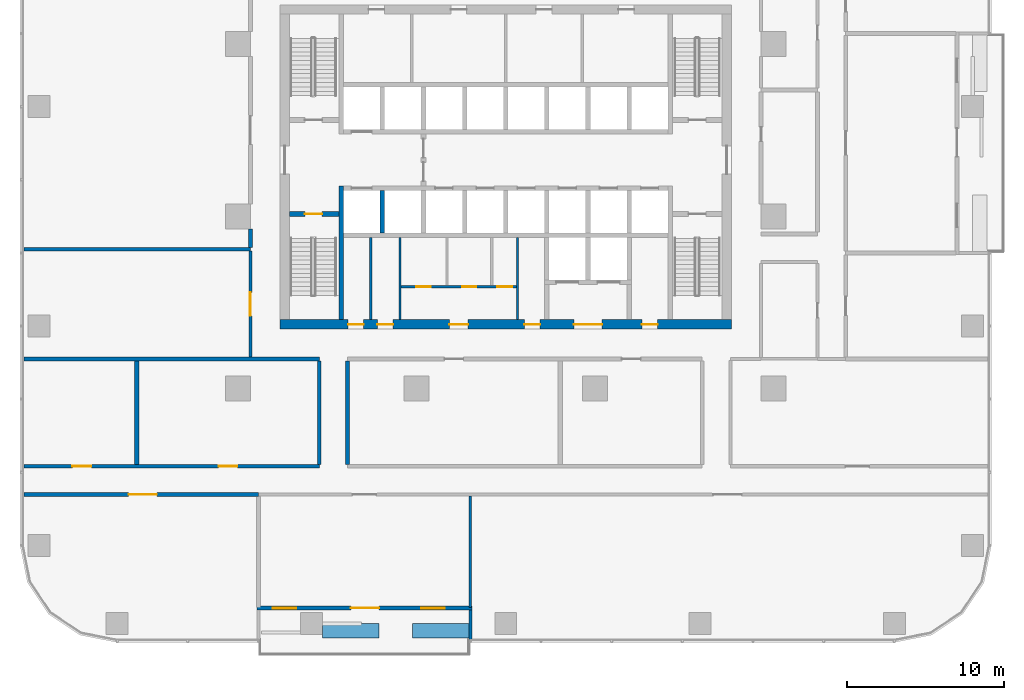
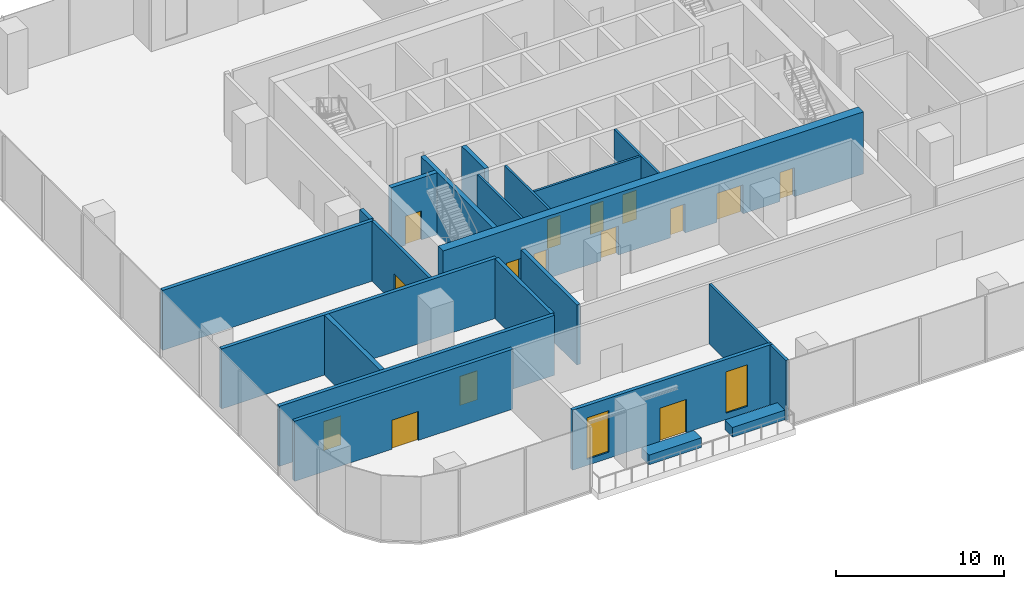
# One storey, part 7 of 15: 22 walls, 15 doors, 2 windows, 17 openings.
"""IFC4 building model written with IfcOpenShell, lengths in metres."""

import ifcopenshell
import ifcopenshell.guid

model = None  # the IFC model being written
_history = None  # IfcOwnerHistory: only IFC2X3 demands one
_inside = {}  # id of a spatial element -> (the spatial element, [elements in it])
_under = {}  # id of a project, library or spatial element -> (it, [spatial elements below it])
_declared = {}  # id of a project -> (the project, [libraries it declares])
_typed = {}  # id of a type object -> (the type object, [elements of that type])
_made_of = {}  # id of a material, layer set ... -> (it, [elements and type objects made of it])


def new_model(schema):
    """Start an empty IFC model of exactly this schema.

    Asked for "IFC4X3", IfcOpenShell would pick the latest addendum, in which some entities
    have other attributes; the version numbers below select the first issue.
    IFC2X3 requires an IfcOwnerHistory on every rooted entity: one is made here for all.
    """
    global model, _history
    if schema == "IFC4X3":
        model = ifcopenshell.file(schema_version=(4, 3, 0, 0))
    else:
        model = ifcopenshell.file(schema=schema)
    _inside.clear()
    _under.clear()
    _declared.clear()
    _typed.clear()
    _made_of.clear()
    _history = None
    if model.schema == "IFC2X3":
        org = make("IfcOrganization", Name="unknown")
        user = make(
            "IfcPersonAndOrganization",
            ThePerson=make("IfcPerson", FamilyName="unknown"),
            TheOrganization=org,
        )
        app = make(
            "IfcApplication",
            ApplicationDeveloper=org,
            Version="unknown",
            ApplicationFullName="unknown",
            ApplicationIdentifier="unknown",
        )
        _history = make(
            "IfcOwnerHistory",
            OwningUser=user,
            OwningApplication=app,
            ChangeAction="ADDED",
            CreationDate=0,
        )
    return model


def make(cls, **values):
    """One entity of the class cls with the attributes given. An attribute that is None is left unset."""
    return model.create_entity(
        cls, **{name: value for name, value in values.items() if value is not None}
    )


def rooted(cls, **values):
    """An entity with a GlobalId (a new one), such as an element, a storey or a relation."""
    return make(cls, GlobalId=ifcopenshell.guid.new(), OwnerHistory=_history, **values)


def si_unit(unit_type, name, prefix=None):
    """IfcSIUnit, for example si_unit("LENGTHUNIT", "METRE", prefix="MILLI")."""
    return make("IfcSIUnit", UnitType=unit_type, Prefix=prefix, Name=name)


def assignment(units):
    """IfcUnitAssignment: the units of a project."""
    return None if units is None else make("IfcUnitAssignment", Units=units)


def point(xyz):
    """IfcCartesianPoint."""
    return None if xyz is None else make("IfcCartesianPoint", Coordinates=xyz)


def direction(xyz):
    """IfcDirection."""
    return None if xyz is None else make("IfcDirection", DirectionRatios=xyz)


def frame(location, z_axis=None, x_axis=None):
    """IfcAxis2Placement3D, a coordinate frame: its origin and axes. An axis left out is left unset."""
    return make(
        "IfcAxis2Placement3D",
        Location=point(location),
        Axis=direction(z_axis),
        RefDirection=direction(x_axis),
    )


def frame_2d(location, x_axis=None):
    """IfcAxis2Placement2D, a coordinate frame in the plane: its origin and x axis."""
    return make(
        "IfcAxis2Placement2D", Location=point(location), RefDirection=direction(x_axis)
    )


def origin():
    """The frame at (0, 0, 0) with its axes left unset."""
    return frame((0.0, 0.0, 0.0))


def place(relative_to, where):
    """IfcLocalPlacement: puts the frame where relative to a parent placement (None: the world)."""
    return make(
        "IfcLocalPlacement", PlacementRelTo=relative_to, RelativePlacement=where
    )


def context(
    kind, dimensions, precision=None, world=None, true_north=None, identifier=None
):
    """IfcGeometricRepresentationContext, for example the 3D "Model" context."""
    return make(
        "IfcGeometricRepresentationContext",
        ContextIdentifier=identifier,
        ContextType=kind,
        CoordinateSpaceDimension=dimensions,
        Precision=precision,
        WorldCoordinateSystem=world,
        TrueNorth=true_north,
    )


def subcontext(parent, identifier, kind, view, scale=None):
    """IfcGeometricRepresentationSubContext, for example "Body" below "Model"."""
    return make(
        "IfcGeometricRepresentationSubContext",
        ContextIdentifier=identifier,
        ContextType=kind,
        ParentContext=parent,
        TargetScale=scale,
        TargetView=view,
    )


def project(units=None, contexts=None):
    """IfcProject with its units and contexts."""
    return rooted(
        "IfcProject",
        Name="project",
        RepresentationContexts=contexts,
        UnitsInContext=assignment(units),
    )


def spatial(cls, under=None, at=None, **own):
    """A site, building, storey or space (cls), placed at a placement, below another one or the project."""
    s = rooted(cls, ObjectPlacement=at, **own)
    if under is not None:
        _under.setdefault(under.id(), (under, []))[1].append(s)
    return s


def profile(cls, at=None, kind="AREA", **sizes):
    """A parametric profile (cls). Its sizes go by their IFC names, for example OverallWidth=200.0."""
    return make(cls, ProfileType=kind, Position=at, **sizes)


def rectangle(**sizes):
    """IfcRectangleProfileDef."""
    return profile("IfcRectangleProfileDef", **sizes)


def extrude(swept, where, along, depth):
    """IfcExtrudedAreaSolid: the profile swept, set in the frame where, extruded along a direction by depth."""
    return make(
        "IfcExtrudedAreaSolid",
        SweptArea=swept,
        Position=where,
        ExtrudedDirection=direction(along),
        Depth=depth,
    )


def shape(context_of_items, identifier, shape_type, items):
    """IfcShapeRepresentation: the items that make up one representation, for example the "Body"."""
    return make(
        "IfcShapeRepresentation",
        ContextOfItems=context_of_items,
        RepresentationIdentifier=identifier,
        RepresentationType=shape_type,
        Items=items,
    )


def material(Name=None, Category=None):
    """IfcMaterial."""
    return make("IfcMaterial", Name=Name, Category=Category)


def layer(
    of_material, thickness, ventilated=None, Name=None, Category=None, Priority=None
):
    """IfcMaterialLayer: one layer of a wall or slab, of a material (None: an air gap)."""
    return make(
        "IfcMaterialLayer",
        Material=of_material,
        LayerThickness=thickness,
        IsVentilated=ventilated,
        Name=Name,
        Category=Category,
        Priority=Priority,
    )


def layer_set(layers, Name=None):
    """IfcMaterialLayerSet."""
    return make("IfcMaterialLayerSet", MaterialLayers=layers, LayerSetName=Name)


def made_of(thing, what):
    """Note that an element or type object is made of a material, layer set ...; save() writes the relation."""
    if what is not None:
        _made_of.setdefault(what.id(), (what, []))[1].append(thing)
    return thing


def type_object(cls, material=None, **own):
    """A type object (cls), such as IfcWallType, which elements share."""
    return made_of(rooted(cls, **own), material)


def element(
    cls,
    number,
    at=None,
    inside=None,
    cuts=None,
    type_object=None,
    material=None,
    context=None,
    identifier="Body",
    shape_type=None,
    held_by="IfcProductDefinitionShape",
    body=None,
    shapes=None,
    **own,
):
    """One element of the class cls, such as IfcWall. Its Tag is "e" and its number.

    at: its placement. inside: the storey or other place that contains it. cuts: it is an
    opening in that element (IfcRelVoidsElement). A single representation is given by context,
    identifier, shape_type and body (its items); several are given by shapes. held_by: the class
    of the entity that holds the representations. save() writes the other relations.
    """
    e = rooted(cls, Tag="e%d" % number, ObjectPlacement=at, **own)
    if body is not None:
        shapes = [shape(context, identifier, shape_type, body)]
    if shapes is not None:
        e.Representation = make(held_by, Representations=shapes)
    if inside is not None:
        _inside.setdefault(inside.id(), (inside, []))[1].append(e)
    if cuts is not None:
        rooted(
            "IfcRelVoidsElement", RelatingBuildingElement=cuts, RelatedOpeningElement=e
        )
    if type_object is not None:
        _typed.setdefault(type_object.id(), (type_object, []))[1].append(e)
    return made_of(e, material)


def fill(opening, filler):
    """IfcRelFillsElement: the door or window that sits in an opening."""
    return rooted(
        "IfcRelFillsElement",
        RelatingOpeningElement=opening,
        RelatedBuildingElement=filler,
    )


def aggregate(whole, parts):
    """IfcRelAggregates: a whole, such as a stair, and the parts it consists of."""
    return rooted("IfcRelAggregates", RelatingObject=whole, RelatedObjects=parts)


def save(model, path):
    """Write the relations noted so far, then the file.

    IfcRelAggregates (storeys below a building ...), IfcRelContainedInSpatialStructure (elements
    in a storey), IfcRelDefinesByType, IfcRelAssociatesMaterial and IfcRelDeclares: one each for
    every whole, place, type object, material and project.
    """
    for whole, parts in _under.values():
        aggregate(whole, parts)
    for where, things in _inside.values():
        rooted(
            "IfcRelContainedInSpatialStructure",
            RelatedElements=things,
            RelatingStructure=where,
        )
    for kind, things in _typed.values():
        rooted("IfcRelDefinesByType", RelatedObjects=things, RelatingType=kind)
    for what, things in _made_of.values():
        rooted("IfcRelAssociatesMaterial", RelatedObjects=things, RelatingMaterial=what)
    for by, libraries in _declared.values():
        rooted("IfcRelDeclares", RelatingContext=by, RelatedDefinitions=libraries)
    model.write(path)


model = new_model("IFC4")

# Units and contexts
model_context = context("Model", 3, precision=1e-05, world=origin(), true_north=direction((0.0, 1.0)))
body_context = subcontext(model_context, "Body", "Model", "MODEL_VIEW")
ifc_project = project(units=[si_unit("LENGTHUNIT", "METRE"), si_unit("AREAUNIT", "SQUARE_METRE"), si_unit("VOLUMEUNIT", "CUBIC_METRE"), si_unit("PLANEANGLEUNIT", "RADIAN"), si_unit("MASSUNIT", "GRAM", prefix="KILO")], contexts=[model_context])

# Site, building, storey
site_placement = place(None, origin())
site = spatial("IfcSite", under=ifc_project, at=site_placement, CompositionType="ELEMENT")
building_placement = place(site_placement, origin())
building = spatial("IfcBuilding", under=site, at=building_placement, Name="Mopane Tessera Tower", CompositionType="ELEMENT")
storey_placement = place(building_placement, frame((0.0, 0.0, 69.39990234375)))
storey = spatial("IfcBuildingStorey", under=building, at=storey_placement, Name="L13", CompositionType="ELEMENT", Elevation=69.39990234375)

# Walls
ifc_material_1 = material(Name="Fire-rated gypsum board partition")
ifc_layer_1 = layer(ifc_material_1, 0.14990234375)
ifc_layer_set_1 = layer_set([ifc_layer_1], Name="Fire-rated gypsum board partition")
wall_type_1 = type_object("IfcWallType", Name="Core room partition 150 mm", PredefinedType="PARTITIONING", material=ifc_layer_set_1)
for number, where, z_axis, x_axis, name in (
    (1, (-8.625, -6.60009765625, 0.0), (0.0, 0.0, 1.0), (0.0, 1.0, 0.0), "L13 Room partition"),
    (2, (-6.75, -6.60009765625, 0.0), (0.0, 0.0, 1.0), (0.0, 1.0, 0.0), "L13 Room partition"),
):
    element("IfcWall", number, at=place(storey_placement, frame(where, z_axis=z_axis, x_axis=x_axis)), inside=storey, type_object=wall_type_1, Name=name, PredefinedType="PARTITIONING", context=body_context, shape_type="SweptSolid", body=[
        extrude(rectangle(XDim=5.25, YDim=0.14990234375, at=frame_2d((2.625, 0.0))), origin(), (0.0, 0.0, 1.0), 4.5),
    ])

# Wall, openings, doors
wall_1_placement = place(storey_placement, frame((-6.675048828125, -4.5, 0.0), z_axis=(0.0, 0.0, 1.0), x_axis=(1.0, 0.0, 0.0)))
wall_1 = element("IfcWall", 3, at=wall_1_placement, inside=storey, type_object=wall_type_1, Name="L13 WC partition", PredefinedType="PARTITIONING", context=body_context, shape_type="SweptSolid", body=[
    extrude(rectangle(XDim=7.35009765625, YDim=0.14990234375, at=frame_2d((3.675048828125, 0.0))), origin(), (0.0, 0.0, 1.0), 4.5),
])
opening_1_placement = place(wall_1_placement, frame((0.97509765625, 0.0, 0.0)))
opening_1 = element("IfcOpeningElement", 4, at=opening_1_placement, cuts=wall_1, Name="Opening WD1", PredefinedType="OPENING", context=body_context, shape_type="SweptSolid", body=[
    extrude(rectangle(XDim=0.89990234375, YDim=2.10009765625, at=frame_2d((0.449951171875, 1.050048828125))), frame((0.0, 0.0869140625, 0.0), z_axis=(0.0, -1.0, 0.0), x_axis=(1.0, 0.0, 0.0)), (0.0, 0.0, 1.0), 0.173828125),
])
opening_2_placement = place(wall_1_placement, frame((3.89990234375, 0.0, 0.0)))
opening_2 = element("IfcOpeningElement", 5, at=opening_2_placement, cuts=wall_1, Name="Opening WD1", PredefinedType="OPENING", context=body_context, shape_type="SweptSolid", body=[
    extrude(rectangle(XDim=0.89990234375, YDim=2.10009765625, at=frame_2d((0.449951171875, 1.050048828125))), frame((0.0, 0.0869140625, 0.0), z_axis=(0.0, -1.0, 0.0), x_axis=(1.0, 0.0, 0.0)), (0.0, 0.0, 1.0), 0.173828125),
])
opening_3_placement = place(wall_1_placement, frame((6.125, 0.0, 0.0)))
opening_3 = element("IfcOpeningElement", 6, at=opening_3_placement, cuts=wall_1, Name="Opening WD2", PredefinedType="OPENING", context=body_context, shape_type="SweptSolid", body=[
    extrude(rectangle(XDim=0.949951171875, YDim=2.10009765625, at=frame_2d((0.47509765625, 1.050048828125))), frame((0.0, 0.0869140625, 0.0), z_axis=(0.0, -1.0, 0.0), x_axis=(1.0, 0.0, 0.0)), (0.0, 0.0, 1.0), 0.173828125),
])
ifc_material_2 = material(Name="Timber door", Category="wood")
door_type_1 = type_object("IfcDoorType", Name="Accessible WC door 950 x 2100", OperationType="SINGLE_SWING_LEFT", PredefinedType="DOOR", material=ifc_material_2)
door_1_placement = place(opening_3_placement, origin())
door_1 = element("IfcDoor", 7, at=door_1_placement, inside=storey, type_object=door_type_1, Name="L13 Accessible WC door", OperationType="SINGLE_SWING_LEFT", OverallHeight=2.10009765625, OverallWidth=0.949951171875, PredefinedType="DOOR", context=body_context, shape_type="SweptSolid", body=[
    extrude(rectangle(XDim=0.949951171875, YDim=2.10009765625, at=frame_2d((0.47509765625, 1.050048828125))), frame((0.0, 0.02490234375, 0.0), z_axis=(0.0, -1.0, 0.0), x_axis=(1.0, 0.0, 0.0)), (0.0, 0.0, 1.0), 0.050048828125),
])
fill(opening_3, door_1)
ifc_material_3 = material(Name="Timber door", Category="wood")
door_type_2 = type_object("IfcDoorType", Name="WC cubicle door 900 x 2100", OperationType="SINGLE_SWING_LEFT", PredefinedType="DOOR", material=ifc_material_3)
door_2_placement = place(opening_1_placement, origin())
door_2 = element("IfcDoor", 8, at=door_2_placement, inside=storey, type_object=door_type_2, Name="L13 Men's WC door", OperationType="SINGLE_SWING_LEFT", OverallHeight=2.10009765625, OverallWidth=0.89990234375, PredefinedType="DOOR", context=body_context, shape_type="SweptSolid", body=[
    extrude(rectangle(XDim=0.89990234375, YDim=2.10009765625, at=frame_2d((0.449951171875, 1.050048828125))), frame((0.0, 0.02490234375, 0.0), z_axis=(0.0, -1.0, 0.0), x_axis=(1.0, 0.0, 0.0)), (0.0, 0.0, 1.0), 0.050048828125),
])
fill(opening_1, door_2)
door_3_placement = place(opening_2_placement, origin())
door_3 = element("IfcDoor", 9, at=door_3_placement, inside=storey, type_object=door_type_2, Name="L13 Women's WC door", OperationType="SINGLE_SWING_LEFT", OverallHeight=2.10009765625, OverallWidth=0.89990234375, PredefinedType="DOOR", context=body_context, shape_type="SweptSolid", body=[
    extrude(rectangle(XDim=0.89990234375, YDim=2.10009765625, at=frame_2d((0.449951171875, 1.050048828125))), frame((0.0, 0.02490234375, 0.0), z_axis=(0.0, -1.0, 0.0), x_axis=(1.0, 0.0, 0.0)), (0.0, 0.0, 1.0), 0.050048828125),
])
fill(opening_2, door_3)

# Wall
wall_2_placement = place(storey_placement, frame((0.75, -6.60009765625, 0.0), z_axis=(0.0, 0.0, 1.0), x_axis=(0.0, 1.0, 0.0)))
element("IfcWall", 10, at=wall_2_placement, inside=storey, type_object=wall_type_1, Name="L13 Room partition", PredefinedType="PARTITIONING", context=body_context, shape_type="SweptSolid", body=[
    extrude(rectangle(XDim=5.25, YDim=0.14990234375, at=frame_2d((2.625, 0.0))), origin(), (0.0, 0.0, 1.0), 4.5),
])

# Wall, openings, doors
ifc_material_4 = material(Name="Concrete C70/85", Category="concrete")
ifc_layer_2 = layer(ifc_material_4, 0.60009765625)
ifc_layer_set_2 = layer_set([ifc_layer_2], Name="Concrete C70/85")
wall_type_2 = type_object("IfcWallType", Name="Core shear wall 600 mm", PredefinedType="SHEAR", material=ifc_layer_set_2)
wall_3_placement = place(storey_placement, frame((-14.39990234375, -6.89990234375, 0.0), z_axis=(0.0, 0.0, 1.0), x_axis=(1.0, 0.0, 0.0)))
wall_3 = element("IfcWall", 11, at=wall_3_placement, inside=storey, type_object=wall_type_2, Name="L13 Core wall south", PredefinedType="SHEAR", context=body_context, shape_type="SweptSolid", body=[
    extrude(rectangle(XDim=28.7998046875, YDim=0.60009765625, at=frame_2d((14.39990234375, 0.0))), origin(), (0.0, 0.0, 1.0), 4.5),
])
opening_4_placement = place(wall_3_placement, frame((4.33740234375, 0.0, 0.0)))
opening_4 = element("IfcOpeningElement", 12, at=opening_4_placement, cuts=wall_3, Name="Opening RD1", PredefinedType="OPENING", context=body_context, shape_type="SweptSolid", body=[
    extrude(rectangle(XDim=1.0, YDim=2.10009765625, at=frame_2d((0.5, 1.050048828125))), frame((0.0, 0.31201171875, 0.0), z_axis=(0.0, -1.0, 0.0), x_axis=(1.0, 0.0, 0.0)), (0.0, 0.0, 1.0), 0.6240234375),
])
opening_5_placement = place(wall_3_placement, frame((6.21240234375, 0.0, 0.0)))
opening_5 = element("IfcOpeningElement", 13, at=opening_5_placement, cuts=wall_3, Name="Opening RD1", PredefinedType="OPENING", context=body_context, shape_type="SweptSolid", body=[
    extrude(rectangle(XDim=1.0, YDim=2.10009765625, at=frame_2d((0.5, 1.050048828125))), frame((0.0, 0.31201171875, 0.0), z_axis=(0.0, -1.0, 0.0), x_axis=(1.0, 0.0, 0.0)), (0.0, 0.0, 1.0), 0.6240234375),
])
opening_6_placement = place(wall_3_placement, frame((10.800048828125, 0.0, 0.0)))
opening_6 = element("IfcOpeningElement", 14, at=opening_6_placement, cuts=wall_3, Name="Opening WD3", PredefinedType="OPENING", context=body_context, shape_type="SweptSolid", body=[
    extrude(rectangle(XDim=1.199951171875, YDim=2.10009765625, at=frame_2d((0.60009765625, 1.050048828125))), frame((0.0, 0.31201171875, 0.0), z_axis=(0.0, -1.0, 0.0), x_axis=(1.0, 0.0, 0.0)), (0.0, 0.0, 1.0), 0.6240234375),
])
opening_7_placement = place(wall_3_placement, frame((15.58740234375, 0.0, 0.0)))
opening_7 = element("IfcOpeningElement", 15, at=opening_7_placement, cuts=wall_3, Name="Opening RD1", PredefinedType="OPENING", context=body_context, shape_type="SweptSolid", body=[
    extrude(rectangle(XDim=1.0, YDim=2.10009765625, at=frame_2d((0.5, 1.050048828125))), frame((0.0, 0.31201171875, 0.0), z_axis=(0.0, -1.0, 0.0), x_axis=(1.0, 0.0, 0.0)), (0.0, 0.0, 1.0), 0.6240234375),
])
opening_8_placement = place(wall_3_placement, frame((18.75, 0.0, 0.0)))
opening_8 = element("IfcOpeningElement", 16, at=opening_8_placement, cuts=wall_3, Name="Opening SD2", PredefinedType="OPENING", context=body_context, shape_type="SweptSolid", body=[
    extrude(rectangle(XDim=1.800048828125, YDim=2.10009765625, at=frame_2d((0.89990234375, 1.050048828125))), frame((0.0, 0.31201171875, 0.0), z_axis=(0.0, -1.0, 0.0), x_axis=(1.0, 0.0, 0.0)), (0.0, 0.0, 1.0), 0.6240234375),
])
opening_9_placement = place(wall_3_placement, frame((23.08740234375, 0.0, 0.0)))
opening_9 = element("IfcOpeningElement", 17, at=opening_9_placement, cuts=wall_3, Name="Opening RD1", PredefinedType="OPENING", context=body_context, shape_type="SweptSolid", body=[
    extrude(rectangle(XDim=1.0, YDim=2.10009765625, at=frame_2d((0.5, 1.050048828125))), frame((0.0, 0.31201171875, 0.0), z_axis=(0.0, -1.0, 0.0), x_axis=(1.0, 0.0, 0.0)), (0.0, 0.0, 1.0), 0.6240234375),
])
ifc_material_5 = material(Name="Steel fire door", Category="steel")
door_type_3 = type_object("IfcDoorType", Name="Core entrance double door 1800 x 2100", OperationType="DOUBLE_DOOR_SINGLE_SWING", PredefinedType="DOOR", material=ifc_material_5)
door_4_placement = place(opening_8_placement, origin())
door_4 = element("IfcDoor", 18, at=door_4_placement, inside=storey, type_object=door_type_3, Name="L13 Service lobby door", OperationType="DOUBLE_DOOR_SINGLE_SWING", OverallHeight=2.10009765625, OverallWidth=1.800048828125, PredefinedType="DOOR", context=body_context, shape_type="SweptSolid", body=[
    extrude(rectangle(XDim=1.800048828125, YDim=2.10009765625, at=frame_2d((0.89990234375, 1.050048828125))), frame((0.0, 0.02490234375, 0.0), z_axis=(0.0, -1.0, 0.0), x_axis=(1.0, 0.0, 0.0)), (0.0, 0.0, 1.0), 0.050048828125),
])
fill(opening_8, door_4)
ifc_material_6 = material(Name="Timber door", Category="wood")
door_type_4 = type_object("IfcDoorType", Name="Core room door 1000 x 2100", OperationType="SINGLE_SWING_LEFT", PredefinedType="DOOR", material=ifc_material_6)
door_5_placement = place(opening_4_placement, origin())
door_5 = element("IfcDoor", 19, at=door_5_placement, inside=storey, type_object=door_type_4, Name="L13 Room door", OperationType="SINGLE_SWING_LEFT", OverallHeight=2.10009765625, OverallWidth=1.0, PredefinedType="DOOR", context=body_context, shape_type="SweptSolid", body=[
    extrude(rectangle(XDim=1.0, YDim=2.10009765625, at=frame_2d((0.5, 1.050048828125))), frame((0.0, 0.02490234375, 0.0), z_axis=(0.0, -1.0, 0.0), x_axis=(1.0, 0.0, 0.0)), (0.0, 0.0, 1.0), 0.050048828125),
])
fill(opening_4, door_5)
door_6_placement = place(opening_5_placement, origin())
door_6 = element("IfcDoor", 20, at=door_6_placement, inside=storey, type_object=door_type_4, Name="L13 Room door", OperationType="SINGLE_SWING_LEFT", OverallHeight=2.10009765625, OverallWidth=1.0, PredefinedType="DOOR", context=body_context, shape_type="SweptSolid", body=[
    extrude(rectangle(XDim=1.0, YDim=2.10009765625, at=frame_2d((0.5, 1.050048828125))), frame((0.0, 0.02490234375, 0.0), z_axis=(0.0, -1.0, 0.0), x_axis=(1.0, 0.0, 0.0)), (0.0, 0.0, 1.0), 0.050048828125),
])
fill(opening_5, door_6)
door_7_placement = place(opening_7_placement, origin())
door_7 = element("IfcDoor", 21, at=door_7_placement, inside=storey, type_object=door_type_4, Name="L13 Room door", OperationType="SINGLE_SWING_LEFT", OverallHeight=2.10009765625, OverallWidth=1.0, PredefinedType="DOOR", context=body_context, shape_type="SweptSolid", body=[
    extrude(rectangle(XDim=1.0, YDim=2.10009765625, at=frame_2d((0.5, 1.050048828125))), frame((0.0, 0.02490234375, 0.0), z_axis=(0.0, -1.0, 0.0), x_axis=(1.0, 0.0, 0.0)), (0.0, 0.0, 1.0), 0.050048828125),
])
fill(opening_7, door_7)
door_8_placement = place(opening_9_placement, origin())
door_8 = element("IfcDoor", 22, at=door_8_placement, inside=storey, type_object=door_type_4, Name="L13 Room door", OperationType="SINGLE_SWING_LEFT", OverallHeight=2.10009765625, OverallWidth=1.0, PredefinedType="DOOR", context=body_context, shape_type="SweptSolid", body=[
    extrude(rectangle(XDim=1.0, YDim=2.10009765625, at=frame_2d((0.5, 1.050048828125))), frame((0.0, 0.02490234375, 0.0), z_axis=(0.0, -1.0, 0.0), x_axis=(1.0, 0.0, 0.0)), (0.0, 0.0, 1.0), 0.050048828125),
])
fill(opening_9, door_8)
ifc_material_7 = material(Name="Timber door", Category="wood")
door_type_5 = type_object("IfcDoorType", Name="WC lobby door 1200 x 2100", OperationType="SINGLE_SWING_LEFT", PredefinedType="DOOR", material=ifc_material_7)
door_9_placement = place(opening_6_placement, origin())
door_9 = element("IfcDoor", 23, at=door_9_placement, inside=storey, type_object=door_type_5, Name="L13 WC lobby door", OperationType="SINGLE_SWING_LEFT", OverallHeight=2.10009765625, OverallWidth=1.199951171875, PredefinedType="DOOR", context=body_context, shape_type="SweptSolid", body=[
    extrude(rectangle(XDim=1.199951171875, YDim=2.10009765625, at=frame_2d((0.60009765625, 1.050048828125))), frame((0.0, 0.02490234375, 0.0), z_axis=(0.0, -1.0, 0.0), x_axis=(1.0, 0.0, 0.0)), (0.0, 0.0, 1.0), 0.050048828125),
])
fill(opening_6, door_9)

# Wall
ifc_material_8 = material(Name="Concrete C60/75", Category="concrete")
ifc_layer_3 = layer(ifc_material_8, 0.300048828125)
ifc_layer_set_3 = layer_set([ifc_layer_3], Name="Concrete C60/75")
wall_type_3 = type_object("IfcWallType", Name="Core spine wall 300 mm", PredefinedType="SHEAR", material=ifc_layer_set_3)
wall_4_placement = place(storey_placement, frame((-10.5, -6.60009765625, 0.0), z_axis=(0.0, 0.0, 1.0), x_axis=(0.0, 1.0, 0.0)))
element("IfcWall", 24, at=wall_4_placement, inside=storey, type_object=wall_type_3, Name="L13 Core spine wall", PredefinedType="SHEAR", context=body_context, shape_type="SweptSolid", body=[
    extrude(rectangle(XDim=8.550048828125, YDim=0.300048828125, at=frame_2d((4.27490234375, 0.0))), origin(), (0.0, 0.0, 1.0), 4.5),
])

# Wall, opening, door
ifc_material_9 = material(Name="Gypsum board on steel studs, two layers each face, mineral wool infill", Category="steel")
ifc_layer_4 = layer(ifc_material_9, 0.199951171875)
ifc_layer_set_4 = layer_set([ifc_layer_4], Name="Gypsum board on steel studs, two layers each face, mineral wool infill")
wall_type_4 = type_object("IfcWallType", Name="Gypsum board corridor wall 200, rated EI 60", PredefinedType="PARTITIONING", material=ifc_layer_set_4)
wall_5_placement = place(storey_placement, frame((-16.300048828125, -8.97509765625, 0.0), z_axis=(0.0, 0.0, 1.0), x_axis=(0.0, 1.0, 0.0)))
wall_5 = element("IfcWall", 25, at=wall_5_placement, inside=storey, type_object=wall_type_4, Name="Partition L13:022", PredefinedType="PARTITIONING", context=body_context, shape_type="SweptSolid", body=[
    extrude(rectangle(XDim=6.75, YDim=0.199951171875, at=frame_2d((3.375, 0.0))), origin(), (0.0, 0.0, 1.0), 4.35009765625),
])
opening_10_placement = place(wall_5_placement, frame((2.625, 0.0, 0.0)))
opening_10 = element("IfcOpeningElement", 26, at=opening_10_placement, cuts=wall_5, Name="Opening L13-04", PredefinedType="OPENING", context=body_context, shape_type="SweptSolid", body=[
    extrude(rectangle(XDim=1.5, YDim=2.10009765625, at=frame_2d((0.75, 1.050048828125))), frame((0.0, 0.112060546875, 0.0), z_axis=(0.0, -1.0, 0.0), x_axis=(1.0, 0.0, 0.0)), (0.0, 0.0, 1.0), 0.223876953125),
])
ifc_material_10 = material(Name="Timber veneered steel-framed fire door", Category="steel")
door_type_6 = type_object("IfcDoorType", Name="Fire door pair FD60 1500 x 2100", OperationType="DOUBLE_DOOR_SINGLE_SWING", PredefinedType="DOOR", material=ifc_material_10)
door_10_placement = place(opening_10_placement, origin())
door_10 = element("IfcDoor", 27, at=door_10_placement, inside=storey, type_object=door_type_6, Name="Door L13-04", ObjectType="D17A", OperationType="DOUBLE_DOOR_SINGLE_SWING", OverallHeight=2.10009765625, OverallWidth=1.5, PredefinedType="DOOR", context=body_context, shape_type="SweptSolid", body=[
    extrude(rectangle(XDim=1.5, YDim=2.10009765625, at=frame_2d((0.75, 1.050048828125))), frame((0.0, 0.02490234375, 0.0), z_axis=(0.0, -1.0, 0.0), x_axis=(1.0, 0.0, 0.0)), (0.0, 0.0, 1.0), 0.050048828125),
])
fill(opening_10, door_10)

# Wall
ifc_material_11 = material(Name="Gypsum board on steel studs, mineral wool infill", Category="steel")
ifc_layer_5 = layer(ifc_material_11, 0.14990234375)
ifc_layer_set_5 = layer_set([ifc_layer_5], Name="Gypsum board on steel studs, mineral wool infill")
wall_type_5 = type_object("IfcWallType", Name="Gypsum board partition 150, rated EI 60", PredefinedType="PARTITIONING", material=ifc_layer_set_5)
wall_6_placement = place(storey_placement, frame((-2.2548828125, -24.949951171875, 0.0), z_axis=(0.0, 0.0, 1.0), x_axis=(0.0, 1.0, 0.0)))
element("IfcWall", 28, at=wall_6_placement, inside=storey, type_object=wall_type_5, Name="Partition L13:029", PredefinedType="PARTITIONING", context=body_context, shape_type="SweptSolid", body=[
    extrude(rectangle(XDim=7.099853515625, YDim=0.14990234375, at=frame_2d((3.5498046875, 0.0))), origin(), (0.0, 0.0, 1.0), 4.35009765625),
])

# Wall, opening, door
ifc_material_12 = material(Name="Concrete C50/60", Category="concrete")
ifc_layer_6 = layer(ifc_material_12, 0.300048828125)
ifc_layer_set_6 = layer_set([ifc_layer_6], Name="Concrete C50/60")
wall_type_6 = type_object("IfcWallType", Name="Lift and stair shaft wall 300 mm", PredefinedType="SOLIDWALL", material=ifc_layer_set_6)
wall_7_placement = place(storey_placement, frame((-13.800048828125, 0.14990234375, 0.0), z_axis=(0.0, 0.0, 1.0), x_axis=(1.0, 0.0, 0.0)))
wall_7 = element("IfcWall", 29, at=wall_7_placement, inside=storey, type_object=wall_type_6, Name="L13 Stair enclosure wall", PredefinedType="SOLIDWALL", context=body_context, shape_type="SweptSolid", body=[
    extrude(rectangle(XDim=3.150146484375, YDim=0.300048828125, at=frame_2d((1.5751953125, 0.0))), origin(), (0.0, 0.0, 1.0), 4.5),
])
opening_11_placement = place(wall_7_placement, frame((0.97509765625, 0.0, 0.0)))
opening_11 = element("IfcOpeningElement", 30, at=opening_11_placement, cuts=wall_7, Name="Opening SD1", PredefinedType="OPENING", context=body_context, shape_type="SweptSolid", body=[
    extrude(rectangle(XDim=1.10009765625, YDim=2.10009765625, at=frame_2d((0.550048828125, 1.050048828125))), frame((0.0, 0.162109375, 0.0), z_axis=(0.0, -1.0, 0.0), x_axis=(1.0, 0.0, 0.0)), (0.0, 0.0, 1.0), 0.323974609375),
])
ifc_material_13 = material(Name="Steel fire door", Category="steel")
door_type_7 = type_object("IfcDoorType", Name="Stair fire door 1100 x 2100", OperationType="SINGLE_SWING_LEFT", PredefinedType="DOOR", material=ifc_material_13)
door_11_placement = place(opening_11_placement, origin())
door_11 = element("IfcDoor", 31, at=door_11_placement, inside=storey, type_object=door_type_7, Name="L13 Stair door ST1", OperationType="SINGLE_SWING_LEFT", OverallHeight=2.10009765625, OverallWidth=1.10009765625, PredefinedType="DOOR", context=body_context, shape_type="SweptSolid", body=[
    extrude(rectangle(XDim=1.10009765625, YDim=2.10009765625, at=frame_2d((0.550048828125, 1.050048828125))), frame((0.0, 0.02490234375, 0.0), z_axis=(0.0, -1.0, 0.0), x_axis=(1.0, 0.0, 0.0)), (0.0, 0.0, 1.0), 0.050048828125),
])
fill(opening_11, door_11)

# Walls
wall_8_placement = place(storey_placement, frame((-7.875, -1.050048828125, 0.0), z_axis=(0.0, 0.0, 1.0), x_axis=(0.0, 1.0, 0.0)))
element("IfcWall", 32, at=wall_8_placement, inside=storey, type_object=wall_type_6, Name="L13 Lift shaft wall", PredefinedType="SOLIDWALL", context=body_context, shape_type="SweptSolid", body=[
    extrude(rectangle(XDim=2.699951171875, YDim=0.300048828125, at=frame_2d((1.35009765625, 0.0))), origin(), (0.0, 0.0, 1.0), 4.5),
])
ifc_material_14 = material(Name="Reinforced concrete C32/40 with waterproofing", Category="concrete")
ifc_layer_7 = layer(ifc_material_14, 0.89990234375)
ifc_layer_set_7 = layer_set([ifc_layer_7], Name="Reinforced concrete C32/40 with waterproofing")
wall_type_7 = type_object("IfcWallType", Name="Planter trough 3600 x 900", PredefinedType="STANDARD", material=ifc_layer_set_7)
for number, where, z_axis, x_axis, name in (
    (33, (-11.679931640625, -26.449951171875, 0.0), (0.0, 0.0, 1.0), (1.0, 0.0, 0.0), "e:nw:L13:N3:pl0"),
    (34, (-5.95458984375, -26.449951171875, 0.0), (0.0, 0.0, 1.0), (1.0, 0.0, 0.0), "e:nw:L13:N3:pl1"),
):
    element("IfcWall", number, at=place(storey_placement, frame(where, z_axis=z_axis, x_axis=x_axis)), inside=storey, type_object=wall_type_7, Name=name, PredefinedType="STANDARD", context=body_context, shape_type="SweptSolid", body=[
        extrude(rectangle(XDim=3.60009765625, YDim=0.89990234375, at=frame_2d((1.800048828125, 0.0))), origin(), (0.0, 0.0, 1.0), 0.7001953125),
    ])
ifc_material_15 = material(Name="Plastered concrete blockwork C20/25", Category="masonry")
ifc_layer_8 = layer(ifc_material_15, 0.300048828125)
ifc_layer_set_8 = layer_set([ifc_layer_8], Name="Plastered concrete blockwork C20/25")
wall_type_8 = type_object("IfcWallType", Name="Plastered blockwork separation wall 300, rated EI 120", PredefinedType="PARTITIONING", material=ifc_layer_set_8)
wall_9_placement = place(storey_placement, frame((-23.554931640625, -15.824951171875, 0.0), z_axis=(0.0, 0.0, 1.0), x_axis=(0.0, 1.0, 0.0)))
element("IfcWall", 35, at=wall_9_placement, inside=storey, type_object=wall_type_8, Name="Partition L13:021", PredefinedType="PARTITIONING", context=body_context, shape_type="SweptSolid", body=[
    extrude(rectangle(XDim=6.599853515625, YDim=0.300048828125, at=frame_2d((3.2998046875, 0.0))), origin(), (0.0, 0.0, 1.0), 4.35009765625),
])

# Wall, opening, door
ifc_material_16 = material(Name="Plastered concrete blockwork C20/25", Category="masonry")
ifc_layer_9 = layer(ifc_material_16, 0.25)
ifc_layer_set_9 = layer_set([ifc_layer_9], Name="Plastered concrete blockwork C20/25")
wall_type_9 = type_object("IfcWallType", Name="Plastered blockwork wall 250, rated EI 120", PredefinedType="PARTITIONING", material=ifc_layer_set_9)
wall_10_placement = place(storey_placement, frame((-30.75, -17.75, 0.0), z_axis=(0.0, 0.0, 1.0), x_axis=(1.0, 0.0, 0.0)))
wall_10 = element("IfcWall", 36, at=wall_10_placement, inside=storey, type_object=wall_type_9, Name="Partition L13:001", PredefinedType="PARTITIONING", context=body_context, shape_type="SweptSolid", body=[
    extrude(rectangle(XDim=14.969970703125, YDim=0.25, at=frame_2d((7.48486328125, 0.0))), origin(), (0.0, 0.0, 1.0), 4.35009765625),
])
opening_12_placement = place(wall_10_placement, frame((6.68505859375, 0.0, 0.0)))
opening_12 = element("IfcOpeningElement", 37, at=opening_12_placement, cuts=wall_10, Name="Opening L13-09", PredefinedType="OPENING", context=body_context, shape_type="SweptSolid", body=[
    extrude(rectangle(XDim=1.800048828125, YDim=2.10009765625, at=frame_2d((0.89990234375, 1.050048828125))), frame((0.0, 0.136962890625, 0.0), z_axis=(0.0, -1.0, 0.0), x_axis=(1.0, 0.0, 0.0)), (0.0, 0.0, 1.0), 0.27392578125),
])
ifc_material_17 = material(Name="Timber veneered steel-framed fire door", Category="steel")
door_type_8 = type_object("IfcDoorType", Name="Fire door pair FD120 1800 x 2100", OperationType="DOUBLE_DOOR_SINGLE_SWING", PredefinedType="DOOR", material=ifc_material_17)
door_12_placement = place(opening_12_placement, origin())
door_12 = element("IfcDoor", 38, at=door_12_placement, inside=storey, type_object=door_type_8, Name="Door L13-09", ObjectType="D20B", OperationType="DOUBLE_DOOR_SINGLE_SWING", OverallHeight=2.10009765625, OverallWidth=1.800048828125, PredefinedType="DOOR", context=body_context, shape_type="SweptSolid", body=[
    extrude(rectangle(XDim=1.800048828125, YDim=2.10009765625, at=frame_2d((0.89990234375, 1.050048828125))), frame((0.0, 0.02490234375, 0.0), z_axis=(0.0, -1.0, 0.0), x_axis=(1.0, 0.0, 0.0)), (0.0, 0.0, 1.0), 0.050048828125),
])
fill(opening_12, door_12)

# Wall, openings, doors
wall_11_placement = place(storey_placement, frame((-30.75, -15.949951171875, 0.0), z_axis=(0.0, 0.0, 1.0), x_axis=(1.0, 0.0, 0.0)))
wall_11 = element("IfcWall", 39, at=wall_11_placement, inside=storey, type_object=wall_type_9, Name="Partition L13:003", PredefinedType="PARTITIONING", context=body_context, shape_type="SweptSolid", body=[
    extrude(rectangle(XDim=18.85009765625, YDim=0.25, at=frame_2d((9.425048828125, 0.0))), origin(), (0.0, 0.0, 1.0), 4.35009765625),
])
opening_13_placement = place(wall_11_placement, frame((3.097412109375, 0.0, 0.0)))
opening_13 = element("IfcOpeningElement", 40, at=opening_13_placement, cuts=wall_11, Name="Opening L13-01", PredefinedType="OPENING", context=body_context, shape_type="SweptSolid", body=[
    extrude(rectangle(XDim=1.199951171875, YDim=2.10009765625, at=frame_2d((0.60009765625, 1.050048828125))), frame((0.0, 0.136962890625, 0.0), z_axis=(0.0, -1.0, 0.0), x_axis=(1.0, 0.0, 0.0)), (0.0, 0.0, 1.0), 0.27392578125),
])
opening_14_placement = place(wall_11_placement, frame((12.422607421875, 0.0, 0.0)))
opening_14 = element("IfcOpeningElement", 41, at=opening_14_placement, cuts=wall_11, Name="Opening L13-11", PredefinedType="OPENING", context=body_context, shape_type="SweptSolid", body=[
    extrude(rectangle(XDim=1.199951171875, YDim=2.10009765625, at=frame_2d((0.60009765625, 1.050048828125))), frame((0.0, 0.136962890625, 0.0), z_axis=(0.0, -1.0, 0.0), x_axis=(1.0, 0.0, 0.0)), (0.0, 0.0, 1.0), 0.27392578125),
])
ifc_material_18 = material(Name="Timber veneered steel-framed fire door", Category="steel")
door_type_9 = type_object("IfcDoorType", Name="Fire door FD120 1200 x 2100", OperationType="SINGLE_SWING_LEFT", PredefinedType="DOOR", material=ifc_material_18)
door_13_placement = place(opening_13_placement, origin())
door_13 = element("IfcDoor", 42, at=door_13_placement, inside=storey, type_object=door_type_9, Name="Door L13-01", ObjectType="D15B", OperationType="SINGLE_SWING_LEFT", OverallHeight=2.10009765625, OverallWidth=1.199951171875, PredefinedType="DOOR", context=body_context, shape_type="SweptSolid", body=[
    extrude(rectangle(XDim=1.199951171875, YDim=2.10009765625, at=frame_2d((0.60009765625, 1.050048828125))), frame((0.0, 0.02490234375, 0.0), z_axis=(0.0, -1.0, 0.0), x_axis=(1.0, 0.0, 0.0)), (0.0, 0.0, 1.0), 0.050048828125),
])
fill(opening_13, door_13)
door_14_placement = place(opening_14_placement, origin())
door_14 = element("IfcDoor", 43, at=door_14_placement, inside=storey, type_object=door_type_9, Name="Door L13-11", ObjectType="D15B", OperationType="SINGLE_SWING_LEFT", OverallHeight=2.10009765625, OverallWidth=1.199951171875, PredefinedType="DOOR", context=body_context, shape_type="SweptSolid", body=[
    extrude(rectangle(XDim=1.199951171875, YDim=2.10009765625, at=frame_2d((0.60009765625, 1.050048828125))), frame((0.0, 0.02490234375, 0.0), z_axis=(0.0, -1.0, 0.0), x_axis=(1.0, 0.0, 0.0)), (0.0, 0.0, 1.0), 0.050048828125),
])
fill(opening_14, door_14)

# Walls
wall_12_placement = place(storey_placement, frame((-30.75, -9.10009765625, 0.0), z_axis=(0.0, 0.0, 1.0), x_axis=(1.0, 0.0, 0.0)))
element("IfcWall", 44, at=wall_12_placement, inside=storey, type_object=wall_type_9, Name="Partition L13:008", PredefinedType="PARTITIONING", context=body_context, shape_type="SweptSolid", body=[
    extrude(rectangle(XDim=18.85009765625, YDim=0.25, at=frame_2d((9.425048828125, 0.0))), origin(), (0.0, 0.0, 1.0), 4.35009765625),
])
wall_13_placement = place(storey_placement, frame((-30.75, -2.10009765625, 0.0), z_axis=(0.0, 0.0, 1.0), x_axis=(1.0, 0.0, 0.0)))
element("IfcWall", 45, at=wall_13_placement, inside=storey, type_object=wall_type_9, Name="Partition L13:013", PredefinedType="PARTITIONING", context=body_context, shape_type="SweptSolid", body=[
    extrude(rectangle(XDim=14.449951171875, YDim=0.25, at=frame_2d((7.22509765625, 0.0))), origin(), (0.0, 0.0, 1.0), 4.35009765625),
])
wall_14_placement = place(storey_placement, frame((-16.300048828125, -1.97509765625, 0.0), z_axis=(0.0, 0.0, 1.0), x_axis=(0.0, 1.0, 0.0)))
element("IfcWall", 46, at=wall_14_placement, inside=storey, type_object=wall_type_9, Name="Partition L13:023", PredefinedType="PARTITIONING", context=body_context, shape_type="SweptSolid", body=[
    extrude(rectangle(XDim=1.175048828125, YDim=0.25, at=frame_2d((0.58740234375, 0.0))), origin(), (0.0, 0.0, 1.0), 4.35009765625),
])
for number, where, z_axis, x_axis, name in (
    (47, (-11.89990234375, -15.824951171875, 0.0), (0.0, 0.0, 1.0), (0.0, 1.0, 0.0), "Partition L13:027"),
    (48, (-10.10009765625, -15.824951171875, 0.0), (0.0, 0.0, 1.0), (0.0, 1.0, 0.0), "Partition L13:028"),
):
    element("IfcWall", number, at=place(storey_placement, frame(where, z_axis=z_axis, x_axis=x_axis)), inside=storey, type_object=wall_type_9, Name=name, PredefinedType="PARTITIONING", context=body_context, shape_type="SweptSolid", body=[
        extrude(rectangle(XDim=6.599853515625, YDim=0.25, at=frame_2d((3.2998046875, 0.0))), origin(), (0.0, 0.0, 1.0), 4.35009765625),
    ])
ifc_material_19 = material(Name="Blockwork with glazed tile facing", Category="masonry")
ifc_layer_10 = layer(ifc_material_19, 0.199951171875)
ifc_layer_set_10 = layer_set([ifc_layer_10], Name="Blockwork with glazed tile facing")
wall_type_10 = type_object("IfcWallType", Name="Terrace cheek wall 200", PredefinedType="STANDARD", material=ifc_layer_set_10)
wall_15_placement = place(storey_placement, frame((-2.254638671875, -27.0, 0.0), z_axis=(0.0, 0.0, 1.0), x_axis=(0.0, 1.0, 0.0)))
element("IfcWall", 49, at=wall_15_placement, inside=storey, type_object=wall_type_10, Name="e:nw:L13:N3:cheekb", PredefinedType="STANDARD", context=body_context, shape_type="SweptSolid", body=[
    extrude(rectangle(XDim=1.875, YDim=0.199951171875, at=frame_2d((0.9375, 0.0))), origin(), (0.0, 0.0, 1.0), 4.35009765625),
])

# Wall, openings, windows, door
ifc_material_20 = material(Name="Blockwork with ochre glazed tile facing", Category="masonry")
ifc_layer_11 = layer(ifc_material_20, 0.25)
ifc_layer_set_11 = layer_set([ifc_layer_11], Name="Blockwork with ochre glazed tile facing")
wall_type_11 = type_object("IfcWallType", Name="Tile-clad external wall 250, ochre", PredefinedType="STANDARD", material=ifc_layer_set_11)
wall_16_placement = place(storey_placement, frame((-15.8818359375, -25.0, 0.0), z_axis=(0.0, 0.0, 1.0), x_axis=(1.0, 0.0, 0.0)))
wall_16 = element("IfcWall", 50, at=wall_16_placement, inside=storey, type_object=wall_type_11, Name="e:nw:L13:N3:back", PredefinedType="STANDARD", context=body_context, shape_type="SweptSolid", body=[
    extrude(rectangle(XDim=13.727294921875, YDim=0.25, at=frame_2d((6.86376953125, 0.0))), origin(), (0.0, 0.0, 1.0), 4.35009765625),
])
opening_15_placement = place(wall_16_placement, frame((1.0, 0.0, 0.449951171875)))
opening_15 = element("IfcOpeningElement", 51, at=opening_15_placement, cuts=wall_16, Name="Opening NW133A", PredefinedType="OPENING", context=body_context, shape_type="SweptSolid", body=[
    extrude(rectangle(XDim=1.5, YDim=3.0, at=frame_2d((0.75, 1.5))), frame((0.0, 0.136962890625, 0.0), z_axis=(0.0, -1.0, 0.0), x_axis=(1.0, 0.0, 0.0)), (0.0, 0.0, 1.0), 0.27392578125),
])
opening_16_placement = place(wall_16_placement, frame((6.0, 0.0, 0.0)))
opening_16 = element("IfcOpeningElement", 52, at=opening_16_placement, cuts=wall_16, Name="Opening ND133", PredefinedType="OPENING", context=body_context, shape_type="SweptSolid", body=[
    extrude(rectangle(XDim=1.800048828125, YDim=2.39990234375, at=frame_2d((0.89990234375, 1.199951171875))), frame((0.0, 0.136962890625, 0.0), z_axis=(0.0, -1.0, 0.0), x_axis=(1.0, 0.0, 0.0)), (0.0, 0.0, 1.0), 0.27392578125),
])
opening_17_placement = place(wall_16_placement, frame((10.5, 0.0, 0.449951171875)))
opening_17 = element("IfcOpeningElement", 53, at=opening_17_placement, cuts=wall_16, Name="Opening NW133B", PredefinedType="OPENING", context=body_context, shape_type="SweptSolid", body=[
    extrude(rectangle(XDim=1.5, YDim=3.0, at=frame_2d((0.75, 1.5))), frame((0.0, 0.136962890625, 0.0), z_axis=(0.0, -1.0, 0.0), x_axis=(1.0, 0.0, 0.0)), (0.0, 0.0, 1.0), 0.27392578125),
])
ifc_material_21 = material(Name="Clear laminated glass", Category="glass")
window_type = type_object("IfcWindowType", Name="Fixed window 1500 x 3000", PartitioningType="SINGLE_PANEL", PredefinedType="WINDOW", material=ifc_material_21)
window_1_placement = place(opening_15_placement, origin())
window_1 = element("IfcWindow", 54, at=window_1_placement, inside=storey, type_object=window_type, Name="e:nw:L13:N3:win0", OverallHeight=3.0, OverallWidth=1.5, PartitioningType="SINGLE_PANEL", PredefinedType="WINDOW", context=body_context, shape_type="SweptSolid", body=[
    extrude(rectangle(XDim=1.5, YDim=3.0, at=frame_2d((0.75, 1.5))), frame((0.0, 0.030029296875, 0.0), z_axis=(0.0, -1.0, 0.0), x_axis=(1.0, 0.0, 0.0)), (0.0, 0.0, 1.0), 0.06005859375),
])
fill(opening_15, window_1)
window_2_placement = place(opening_17_placement, origin())
window_2 = element("IfcWindow", 55, at=window_2_placement, inside=storey, type_object=window_type, Name="e:nw:L13:N3:win2", OverallHeight=3.0, OverallWidth=1.5, PartitioningType="SINGLE_PANEL", PredefinedType="WINDOW", context=body_context, shape_type="SweptSolid", body=[
    extrude(rectangle(XDim=1.5, YDim=3.0, at=frame_2d((0.75, 1.5))), frame((0.0, 0.030029296875, 0.0), z_axis=(0.0, -1.0, 0.0), x_axis=(1.0, 0.0, 0.0)), (0.0, 0.0, 1.0), 0.06005859375),
])
fill(opening_17, window_2)
ifc_material_22 = material(Name="Aluminium and clear glass", Category="aluminium")
door_type_10 = type_object("IfcDoorType", Name="Terrace double door 1800 x 2400", OperationType="DOUBLE_DOOR_SINGLE_SWING", PredefinedType="DOOR", material=ifc_material_22)
door_15_placement = place(opening_16_placement, origin())
door_15 = element("IfcDoor", 56, at=door_15_placement, inside=storey, type_object=door_type_10, Name="e:nw:L13:N3:door", ObjectType="D1", OperationType="DOUBLE_DOOR_SINGLE_SWING", OverallHeight=2.39990234375, OverallWidth=1.800048828125, PredefinedType="DOOR", context=body_context, shape_type="SweptSolid", body=[
    extrude(rectangle(XDim=1.800048828125, YDim=2.39990234375, at=frame_2d((0.89990234375, 1.199951171875))), frame((0.0, 0.02490234375, 0.0), z_axis=(0.0, -1.0, 0.0), x_axis=(1.0, 0.0, 0.0)), (0.0, 0.0, 1.0), 0.050048828125),
])
fill(opening_16, door_15)

save(model, "model.ifc")
